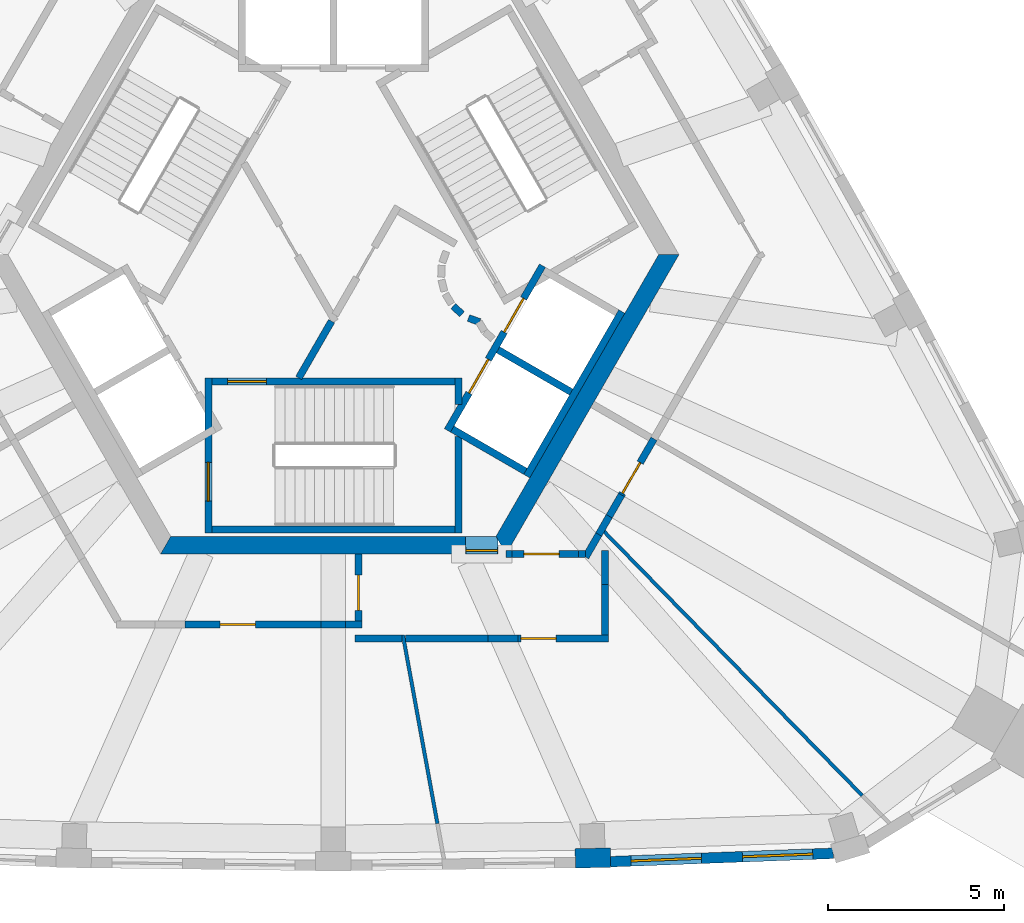
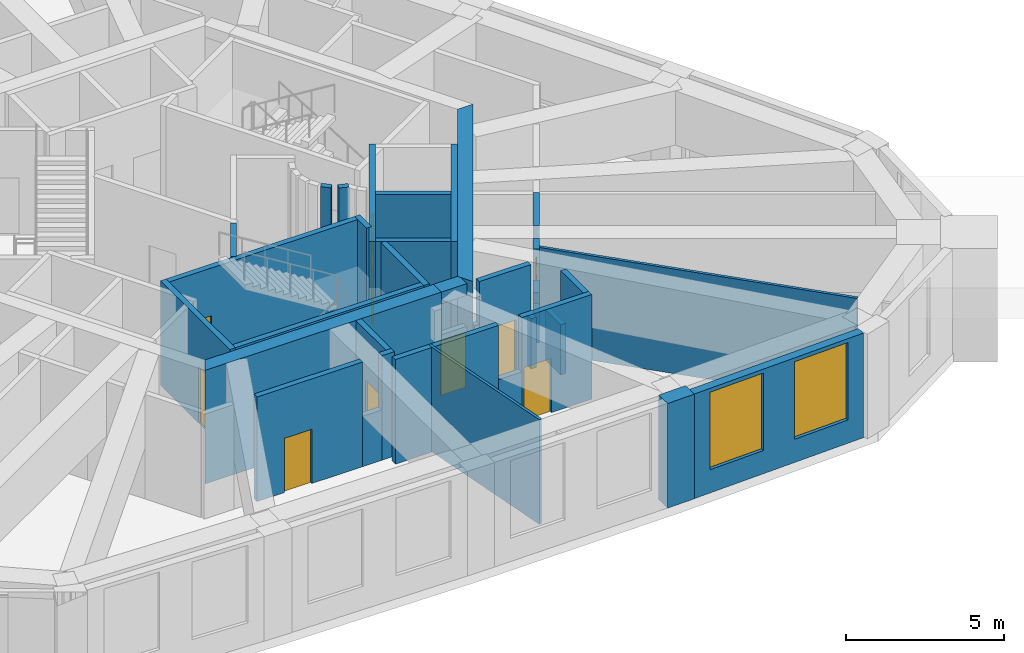
# One storey, part 3 of 8: 37 walls, 10 doors, 2 windows, 12 openings.
"""IFC4 building model written with IfcOpenShell, lengths in metres."""

from ifc_helpers import new_model, si_unit, direction, frame, frame_2d, origin, place, context, subcontext, project, spatial, polyline, rectangle, outline, extrude, material, layer, layer_set, type_object, element, fill, save


model = new_model("IFC4")

# Units and contexts
model_context = context("Model", 3, precision=1e-05, world=origin(), true_north=direction((0.0, 1.0)))
body_context = subcontext(model_context, "Body", "Model", "MODEL_VIEW")
ifc_project = project(units=[si_unit("LENGTHUNIT", "METRE"), si_unit("AREAUNIT", "SQUARE_METRE"), si_unit("VOLUMEUNIT", "CUBIC_METRE"), si_unit("PLANEANGLEUNIT", "RADIAN"), si_unit("MASSUNIT", "GRAM", prefix="KILO")], contexts=[model_context])

# Site, building, storey
site_placement = place(None, origin())
site = spatial("IfcSite", under=ifc_project, at=site_placement, CompositionType="ELEMENT")
building_placement = place(site_placement, origin())
building = spatial("IfcBuilding", under=site, at=building_placement, Name="Entoto Arch Interchange Tower", CompositionType="ELEMENT")
storey_placement = place(building_placement, frame((0.0, 0.0, 344.89990234375)))
storey = spatial("IfcBuildingStorey", under=building, at=storey_placement, Name="L81", CompositionType="ELEMENT", Elevation=344.89990234375)

# Wall, opening, door
ifc_material_1 = material(Name="Reinforced concrete C40/50", Category="concrete")
ifc_layer_1 = layer(ifc_material_1, 0.199951171875)
ifc_layer_set_1 = layer_set([ifc_layer_1], Name="Reinforced concrete C40/50")
wall_type_1 = type_object("IfcWallType", Name="CORE GAP INFILL WALL", PredefinedType="PARTITIONING", material=ifc_layer_set_1)
wall_1_placement = place(storey_placement, frame((3.75, -5.89990234375, 0.0), z_axis=(0.0, 0.0, 1.0), x_axis=(1.0, 0.0, 0.0)))
wall_1 = element("IfcWall", 1, at=wall_1_placement, inside=storey, type_object=wall_type_1, Name="wall:L81:gap1", PredefinedType="PARTITIONING", context=body_context, shape_type="SweptSolid", body=[
    extrude(rectangle(XDim=0.926025390625, YDim=0.199951171875, at=frame_2d((0.462890625, 0.0))), origin(), (0.0, 0.0, 1.0), 2.400146484375),
])
opening_1_placement = place(wall_1_placement, frame((0.01708984375, 0.0, 0.0)))
opening_1 = element("IfcOpeningElement", 2, at=opening_1_placement, cuts=wall_1, Name="Opening L81-D91", PredefinedType="OPENING", context=body_context, shape_type="SweptSolid", body=[
    extrude(rectangle(XDim=0.89990234375, YDim=2.10009765625, at=frame_2d((0.449951171875, 1.050048828125))), frame((0.0, 0.10986328125, 0.0), z_axis=(0.0, -1.0, 0.0), x_axis=(1.0, 0.0, 0.0)), (0.0, 0.0, 1.0), 0.219970703125),
])
ifc_material_2 = material(Name="Fire-rated Steel S235 door and frame", Category="steel")
door_type_1 = type_object("IfcDoorType", Name="DOOR FD-09 900x2100", OperationType="SINGLE_SWING_LEFT", PredefinedType="DOOR", material=ifc_material_2)
door_1_placement = place(opening_1_placement, origin())
door_1 = element("IfcDoor", 3, at=door_1_placement, inside=storey, type_object=door_type_1, Name="door:L81:gap1", OperationType="SINGLE_SWING_LEFT", OverallHeight=2.10009765625, OverallWidth=0.89990234375, PredefinedType="DOOR", context=body_context, shape_type="SweptSolid", body=[
    extrude(rectangle(XDim=0.89990234375, YDim=2.10009765625, at=frame_2d((0.449951171875, 1.050048828125))), frame((0.0, 0.02490234375, 0.0), z_axis=(0.0, -1.0, 0.0), x_axis=(1.0, 0.0, 0.0)), (0.0, 0.0, 1.0), 0.050048828125),
])
fill(opening_1, door_1)

# Walls
ifc_material_3 = material(Name="Concrete C40/50", Category="concrete")
ifc_layer_2 = layer(ifc_material_3, 0.5)
ifc_layer_set_2 = layer_set([ifc_layer_2], Name="Concrete C40/50")
wall_type_2 = type_object("IfcWallType", Name="Core wall 500 C40/50", PredefinedType="SHEAR", material=ifc_layer_set_2)
wall_2_placement = place(storey_placement, frame((0.0, 0.0, -0.349853515625)))
element("IfcWall", 4, at=wall_2_placement, inside=storey, type_object=wall_type_2, Name="Core wall S L81", PredefinedType="SHEAR", context=body_context, shape_type="SweptSolid", body=[
    extrude(outline(polyline([(3.75, -6.0), (3.75, -5.5), (-4.618896484375, -5.5), (-4.906982421875, -6.0), (3.75, -6.0)])), origin(), (0.0, 0.0, 1.0), 4.39990234375),
])
wall_3_placement = place(storey_placement, frame((0.0, 0.0, 3.60009765625)))
element("IfcWall", 5, at=wall_3_placement, inside=storey, type_object=wall_type_2, Name="Core wall lintel S L81", PredefinedType="SHEAR", context=body_context, shape_type="SweptSolid", body=[
    extrude(outline(polyline([(4.676025390625, -6.0), (4.676025390625, -5.60009765625), (4.618896484375, -5.5), (3.75, -5.5), (3.75, -6.0), (4.676025390625, -6.0)])), origin(), (0.0, 0.0, 1.0), 0.449951171875),
])
wall_4_placement = place(storey_placement, frame((0.0, 0.0, -0.349853515625)))
element("IfcWall", 6, at=wall_4_placement, inside=storey, type_object=wall_type_2, Name="Core wall SE L81", PredefinedType="SHEAR", context=body_context, shape_type="SweptSolid", body=[
    extrude(outline(polyline([(4.906982421875, -6.0), (9.81494140625, 2.5), (9.238037109375, 2.5), (4.618896484375, -5.5), (4.906982421875, -6.0)])), origin(), (0.0, 0.0, 1.0), 4.39990234375),
])

# Wall, openings, doors
ifc_layer_3 = layer(ifc_material_3, 0.199951171875)
ifc_layer_set_3 = layer_set([ifc_layer_3], Name="Concrete C40/50")
wall_type_3 = type_object("IfcWallType", Name="LIFT SHAFT WALL 200", PredefinedType="STANDARD", material=ifc_layer_set_3)
wall_5_placement = place(storey_placement, frame((3.239990234375, -2.488037109375, 0.0), z_axis=(0.0, 0.0, 1.0), x_axis=(0.500034260056, 0.866005622828, 0.0)))
wall_5 = element("IfcWall", 7, at=wall_5_placement, inside=storey, type_object=wall_type_3, Name="Shaft wall SE1 front", PredefinedType="STANDARD", context=body_context, shape_type="SweptSolid", body=[
    extrude(rectangle(XDim=5.3994140625, YDim=0.199951171875, at=frame_2d((2.69970703125, 0.0))), origin(), (0.0, 0.0, 1.0), 4.050048828125),
])
opening_2_placement = place(wall_5_placement, frame((3.22509765625, 0.0, 0.0)))
opening_2 = element("IfcOpeningElement", 8, at=opening_2_placement, cuts=wall_5, Name="Opening LD-HR3-L81", PredefinedType="OPENING", context=body_context, shape_type="SweptSolid", body=[
    extrude(rectangle(XDim=1.10009765625, YDim=2.10009765625, at=frame_2d((0.550048828125, 1.050048828125))), frame((0.0, 0.10986328125, 0.0), z_axis=(0.0, -1.0, 0.0), x_axis=(1.0, 0.0, 0.0)), (0.0, 0.0, 1.0), 0.219970703125),
])
opening_3_placement = place(wall_5_placement, frame((1.22509765625, 0.0, 0.0)))
opening_3 = element("IfcOpeningElement", 9, at=opening_3_placement, cuts=wall_5, Name="Opening LD-FF1-L81", PredefinedType="OPENING", context=body_context, shape_type="SweptSolid", body=[
    extrude(rectangle(XDim=1.10009765625, YDim=2.10009765625, at=frame_2d((0.550048828125, 1.050048828125))), frame((0.0, 0.10986328125, 0.0), z_axis=(0.0, -1.0, 0.0), x_axis=(1.0, 0.0, 0.0)), (0.0, 0.0, 1.0), 0.219970703125),
])
ifc_material_4 = material(Name="Stainless steel 1.4301 panels", Category="steel")
door_type_2 = type_object("IfcDoorType", Name="LIFT LANDING DOOR LD1 1100x2100", OperationType="SLIDING_TO_LEFT", PredefinedType="DOOR", material=ifc_material_4)
door_2_placement = place(opening_2_placement, origin())
door_2 = element("IfcDoor", 10, at=door_2_placement, inside=storey, type_object=door_type_2, Name="Lift landing door HR3 L81", OperationType="SLIDING_TO_LEFT", OverallHeight=2.10009765625, OverallWidth=1.10009765625, PredefinedType="DOOR", context=body_context, shape_type="SweptSolid", body=[
    extrude(rectangle(XDim=1.10009765625, YDim=2.10009765625, at=frame_2d((0.550048828125, 1.050048828125))), frame((0.0, 0.02490234375, 0.0), z_axis=(0.0, -1.0, 0.0), x_axis=(1.0, 0.0, 0.0)), (0.0, 0.0, 1.0), 0.050048828125),
])
fill(opening_2, door_2)
door_3_placement = place(opening_3_placement, origin())
door_3 = element("IfcDoor", 11, at=door_3_placement, inside=storey, type_object=door_type_2, Name="Lift landing door FF1 L81", OperationType="SLIDING_TO_LEFT", OverallHeight=2.10009765625, OverallWidth=1.10009765625, PredefinedType="DOOR", context=body_context, shape_type="SweptSolid", body=[
    extrude(rectangle(XDim=1.10009765625, YDim=2.10009765625, at=frame_2d((0.550048828125, 1.050048828125))), frame((0.0, 0.02490234375, 0.0), z_axis=(0.0, -1.0, 0.0), x_axis=(1.0, 0.0, 0.0)), (0.0, 0.0, 1.0), 0.050048828125),
])
fill(opening_3, door_3)

# Walls
wall_6_placement = place(storey_placement, frame((5.491943359375, -3.7880859375, 0.0), z_axis=(0.0, 0.0, 1.0), x_axis=(0.500034260056, 0.866005622828, 0.0)))
element("IfcWall", 12, at=wall_6_placement, inside=storey, type_object=wall_type_3, Name="Shaft wall SE1 back", PredefinedType="STANDARD", context=body_context, shape_type="SweptSolid", body=[
    extrude(rectangle(XDim=5.3994140625, YDim=0.199951171875, at=frame_2d((2.69970703125, 0.0))), origin(), (0.0, 0.0, 1.0), 4.050048828125),
])
wall_7_placement = place(storey_placement, frame((3.376953125, -2.451904296875, 0.0), z_axis=(0.0, 0.0, 1.0), x_axis=(0.865955154139, -0.50012165622, 0.0)))
element("IfcWall", 13, at=wall_7_placement, inside=storey, type_object=wall_type_3, Name="Shaft wall SE1 cross 1", PredefinedType="STANDARD", context=body_context, shape_type="SweptSolid", body=[
    extrude(rectangle(XDim=2.39990234375, YDim=0.199951171875, at=frame_2d((1.199951171875, 0.0))), origin(), (0.0, 0.0, 1.0), 4.050048828125),
])
wall_8_placement = place(storey_placement, frame((4.677001953125, -0.199951171875, 0.0), z_axis=(0.0, 0.0, 1.0), x_axis=(0.865973769406, -0.500089422704, 0.0)))
element("IfcWall", 14, at=wall_8_placement, inside=storey, type_object=wall_type_3, Name="Shaft wall SE1 cross 2", PredefinedType="STANDARD", context=body_context, shape_type="SweptSolid", body=[
    extrude(rectangle(XDim=2.3994140625, YDim=0.199951171875, at=frame_2d((1.19970703125, 0.0))), origin(), (0.0, 0.0, 1.0), 4.050048828125),
])
ifc_material_5 = material(Name="Gypsum board partition on steel studs", Category="steel")
ifc_layer_4 = layer(ifc_material_5, 0.10009765625)
ifc_layer_set_4 = layer_set([ifc_layer_4], Name="Gypsum board partition on steel studs")
wall_type_4 = type_object("IfcWallType", Name="PARTITION 100", PredefinedType="PARTITIONING", material=ifc_layer_set_4)
wall_9_placement = place(storey_placement, frame((7.6240234375, -5.294921875, 0.0), z_axis=(0.0, 0.0, 1.0), x_axis=(0.699214658751, -0.714911785458, 0.0)))
element("IfcWall", 15, at=wall_9_placement, inside=storey, type_object=wall_type_4, Name="wall:L81:p024", PredefinedType="PARTITIONING", context=body_context, shape_type="SweptSolid", body=[
    extrude(rectangle(XDim=10.576171875, YDim=0.10009765625, at=frame_2d((5.2880859375, 0.0))), origin(), (0.0, 0.0, 1.0), 4.050048828125),
])
wall_10_placement = place(storey_placement, frame((2.955078125, -13.655029296875, 0.0), z_axis=(0.0, 0.0, 1.0), x_axis=(-0.179903930573, 0.983684184972, 0.0)))
element("IfcWall", 16, at=wall_10_placement, inside=storey, type_object=wall_type_4, Name="wall:L81:p023", PredefinedType="PARTITIONING", context=body_context, shape_type="SweptSolid", body=[
    extrude(rectangle(XDim=5.44189453125, YDim=0.10009765625, at=frame_2d((2.720947265625, 0.0))), origin(), (0.0, 0.0, 1.0), 4.050048828125),
])
ifc_layer_5 = layer(ifc_material_5, 0.199951171875)
ifc_layer_set_5 = layer_set([ifc_layer_5], Name="Gypsum board partition on steel studs")
wall_type_5 = type_object("IfcWallType", Name="PARTITION 200", PredefinedType="PARTITIONING", material=ifc_layer_set_5)
wall_11_placement = place(storey_placement, frame((-0.98193359375, -1.0, 0.0), z_axis=(0.0, 0.0, 1.0), x_axis=(0.50024047865, 0.865886518847, 0.0)))
element("IfcWall", 17, at=wall_11_placement, inside=storey, type_object=wall_type_5, Name="wall:L81:p001", PredefinedType="PARTITIONING", context=body_context, shape_type="SweptSolid", body=[
    extrude(rectangle(XDim=1.86279296875, YDim=0.199951171875, at=frame_2d((0.931396484375, 0.0))), origin(), (0.0, 0.0, 1.0), 4.050048828125),
])
wall_12_placement = place(storey_placement, frame((3.404052734375, 1.0390625, 0.0), z_axis=(0.0, 0.0, 1.0), x_axis=(0.740267097712, -0.672312891476, 0.0)))
element("IfcWall", 18, at=wall_12_placement, inside=storey, type_object=wall_type_5, Name="wall:L81:p007", PredefinedType="PARTITIONING", context=body_context, shape_type="SweptSolid", body=[
    extrude(rectangle(XDim=0.337646484375, YDim=0.199951171875, at=frame_2d((0.1689453125, 0.0))), origin(), (0.0, 0.0, 1.0), 4.050048828125),
])
wall_13_placement = place(storey_placement, frame((3.837890625, 0.701904296875, 0.0), z_axis=(0.0, 0.0, 1.0), x_axis=(0.941035081519, -0.338308993895, 0.0)))
element("IfcWall", 19, at=wall_13_placement, inside=storey, type_object=wall_type_5, Name="wall:L81:p008", PredefinedType="PARTITIONING", context=body_context, shape_type="SweptSolid", body=[
    extrude(rectangle(XDim=0.3369140625, YDim=0.199951171875, at=frame_2d((0.16845703125, 0.0))), origin(), (0.0, 0.0, 1.0), 4.050048828125),
])

# Wall, opening, door
wall_14_placement = place(storey_placement, frame((0.712890625, -7.89990234375, 0.0), z_axis=(0.0, 0.0, 1.0), x_axis=(0.0, 1.0, 0.0)))
wall_14 = element("IfcWall", 20, at=wall_14_placement, inside=storey, type_object=wall_type_5, Name="wall:L81:p013", PredefinedType="PARTITIONING", context=body_context, shape_type="SweptSolid", body=[
    extrude(rectangle(XDim=1.89990234375, YDim=0.199951171875, at=frame_2d((0.949951171875, 0.0))), origin(), (0.0, 0.0, 1.0), 4.050048828125),
])
opening_4_placement = place(wall_14_placement, frame((0.300048828125, 0.0, 0.0)))
opening_4 = element("IfcOpeningElement", 21, at=opening_4_placement, cuts=wall_14, Name="Opening L81-D01", PredefinedType="OPENING", context=body_context, shape_type="SweptSolid", body=[
    extrude(rectangle(XDim=1.0, YDim=2.10009765625, at=frame_2d((0.5, 1.050048828125))), frame((0.0, 0.10986328125, 0.0), z_axis=(0.0, -1.0, 0.0), x_axis=(1.0, 0.0, 0.0)), (0.0, 0.0, 1.0), 0.219970703125),
])
door_type_3 = type_object("IfcDoorType", Name="DOOR FD-10 1000x2100", OperationType="SINGLE_SWING_LEFT", PredefinedType="DOOR", material=ifc_material_2)
door_4_placement = place(opening_4_placement, origin())
door_4 = element("IfcDoor", 22, at=door_4_placement, inside=storey, type_object=door_type_3, Name="door:L81:01", OperationType="SINGLE_SWING_LEFT", OverallHeight=2.10009765625, OverallWidth=1.0, PredefinedType="DOOR", context=body_context, shape_type="SweptSolid", body=[
    extrude(rectangle(XDim=1.0, YDim=2.10009765625, at=frame_2d((0.5, 1.050048828125))), frame((0.0, 0.02490234375, 0.0), z_axis=(0.0, -1.0, 0.0), x_axis=(1.0, 0.0, 0.0)), (0.0, 0.0, 1.0), 0.050048828125),
])
fill(opening_4, door_4)

# Wall
wall_15_placement = place(storey_placement, frame((4.906982421875, -6.0, 0.0), z_axis=(0.0, 0.0, 1.0), x_axis=(1.0, 0.0, 0.0)))
element("IfcWall", 23, at=wall_15_placement, inside=storey, type_object=wall_type_5, Name="wall:L81:p014", PredefinedType="PARTITIONING", context=body_context, shape_type="SweptSolid", body=[
    extrude(rectangle(XDim=0.1689453125, YDim=0.199951171875, at=frame_2d((0.08447265625, 0.0))), origin(), (0.0, 0.0, 1.0), 2.400146484375),
])

# Wall, opening, door
wall_16_placement = place(storey_placement, frame((7.81298828125, -8.39990234375, 0.0), z_axis=(0.0, 0.0, 1.0), x_axis=(-1.0, 0.0, 0.0)))
wall_16 = element("IfcWall", 24, at=wall_16_placement, inside=storey, type_object=wall_type_5, Name="wall:L81:p015", PredefinedType="PARTITIONING", context=body_context, shape_type="SweptSolid", body=[
    extrude(rectangle(XDim=2.56689453125, YDim=0.199951171875, at=frame_2d((1.283447265625, 0.0))), origin(), (0.0, 0.0, 1.0), 4.050048828125),
])
opening_5_placement = place(wall_16_placement, frame((1.489013671875, 0.0, 0.0)))
opening_5 = element("IfcOpeningElement", 25, at=opening_5_placement, cuts=wall_16, Name="Opening L81-D03", PredefinedType="OPENING", context=body_context, shape_type="SweptSolid", body=[
    extrude(rectangle(XDim=1.0, YDim=2.10009765625, at=frame_2d((0.5, 1.050048828125))), frame((0.0, 0.10986328125, 0.0), z_axis=(0.0, -1.0, 0.0), x_axis=(1.0, 0.0, 0.0)), (0.0, 0.0, 1.0), 0.219970703125),
])
door_5_placement = place(opening_5_placement, origin())
door_5 = element("IfcDoor", 26, at=door_5_placement, inside=storey, type_object=door_type_3, Name="door:L81:03", OperationType="SINGLE_SWING_LEFT", OverallHeight=2.10009765625, OverallWidth=1.0, PredefinedType="DOOR", context=body_context, shape_type="SweptSolid", body=[
    extrude(rectangle(XDim=1.0, YDim=2.10009765625, at=frame_2d((0.5, 1.050048828125))), frame((0.0, 0.02490234375, 0.0), z_axis=(0.0, -1.0, 0.0), x_axis=(1.0, 0.0, 0.0)), (0.0, 0.0, 1.0), 0.050048828125),
])
fill(opening_5, door_5)

# Walls
wall_17_placement = place(storey_placement, frame((7.712890625, -5.89990234375, 0.0), z_axis=(0.0, 0.0, 1.0), x_axis=(0.0, -1.0, 0.0)))
element("IfcWall", 27, at=wall_17_placement, inside=storey, type_object=wall_type_5, Name="wall:L81:p016", PredefinedType="PARTITIONING", context=body_context, shape_type="SweptSolid", body=[
    extrude(rectangle(XDim=0.962158203125, YDim=0.199951171875, at=frame_2d((0.48095703125, 0.0))), origin(), (0.0, 0.0, 1.0), 1.9501953125),
])
wall_18_placement = place(storey_placement, frame((1.944091796875, -8.39990234375, 0.0), z_axis=(0.0, 0.0, 1.0), x_axis=(-1.0, 0.0, 0.0)))
element("IfcWall", 28, at=wall_18_placement, inside=storey, type_object=wall_type_5, Name="wall:L81:p017", PredefinedType="PARTITIONING", context=body_context, shape_type="SweptSolid", body=[
    extrude(rectangle(XDim=1.3310546875, YDim=0.199951171875, at=frame_2d((0.66552734375, 0.0))), origin(), (0.0, 0.0, 1.0), 4.050048828125),
])
wall_19_placement = place(storey_placement, frame((0.81298828125, -8.0, 0.0), z_axis=(0.0, 0.0, 1.0), x_axis=(-1.0, 0.0, 0.0)))
element("IfcWall", 29, at=wall_19_placement, inside=storey, type_object=wall_type_5, Name="wall:L81:p018", PredefinedType="PARTITIONING", context=body_context, shape_type="SweptSolid", body=[
    extrude(rectangle(XDim=0.462890625, YDim=0.199951171875, at=frame_2d((0.2314453125, 0.0))), origin(), (0.0, 0.0, 1.0), 4.050048828125),
])

# Wall, opening, door
wall_20_placement = place(storey_placement, frame((9.10595703125, -2.72802734375, 0.0), z_axis=(0.0, 0.0, 1.0), x_axis=(-0.500246664097, -0.865882945357, 0.0)))
wall_20 = element("IfcWall", 30, at=wall_20_placement, inside=storey, type_object=wall_type_5, Name="wall:L81:p021", PredefinedType="PARTITIONING", context=body_context, shape_type="SweptSolid", body=[
    extrude(rectangle(XDim=1.8408203125, YDim=0.199951171875, at=frame_2d((0.92041015625, 0.0))), origin(), (0.0, 0.0, 1.0), 4.050048828125),
])
opening_6_placement = place(wall_20_placement, frame((0.783935546875, 0.0, 0.0)))
opening_6 = element("IfcOpeningElement", 31, at=opening_6_placement, cuts=wall_20, Name="Opening L81-D05", PredefinedType="OPENING", context=body_context, shape_type="SweptSolid", body=[
    extrude(rectangle(XDim=1.0, YDim=2.10009765625, at=frame_2d((0.5, 1.050048828125))), frame((0.0, 0.10986328125, 0.0), z_axis=(0.0, -1.0, 0.0), x_axis=(1.0, 0.0, 0.0)), (0.0, 0.0, 1.0), 0.219970703125),
])
ifc_material_6 = material(Name="Timber door leaf in Steel S235 frame", Category="steel")
door_type_4 = type_object("IfcDoorType", Name="DOOR DS-10 1000x2100", OperationType="SINGLE_SWING_LEFT", PredefinedType="DOOR", material=ifc_material_6)
door_6_placement = place(opening_6_placement, origin())
door_6 = element("IfcDoor", 32, at=door_6_placement, inside=storey, type_object=door_type_4, Name="door:L81:05", OperationType="SINGLE_SWING_LEFT", OverallHeight=2.10009765625, OverallWidth=1.0, PredefinedType="DOOR", context=body_context, shape_type="SweptSolid", body=[
    extrude(rectangle(XDim=1.0, YDim=2.10009765625, at=frame_2d((0.5, 1.050048828125))), frame((0.0, 0.02490234375, 0.0), z_axis=(0.0, -1.0, 0.0), x_axis=(1.0, 0.0, 0.0)), (0.0, 0.0, 1.0), 0.050048828125),
])
fill(opening_6, door_6)

wall_21_placement = place(storey_placement, frame((5.075927734375, -6.0, 0.0), z_axis=(0.0, 0.0, 1.0), x_axis=(1.0, 0.0, 0.0)))
wall_21 = element("IfcWall", 33, at=wall_21_placement, inside=storey, type_object=wall_type_5, Name="wall:L81:p014", PredefinedType="PARTITIONING", context=body_context, shape_type="SweptSolid", body=[
    extrude(rectangle(XDim=1.886962890625, YDim=0.199951171875, at=frame_2d((0.943359375, 0.0))), origin(), (0.0, 0.0, 1.0), 4.050048828125),
])
opening_7_placement = place(wall_21_placement, frame((0.3359375, 0.0, 0.0)))
opening_7 = element("IfcOpeningElement", 34, at=opening_7_placement, cuts=wall_21, Name="Opening L81-D02", PredefinedType="OPENING", context=body_context, shape_type="SweptSolid", body=[
    extrude(rectangle(XDim=1.0, YDim=2.10009765625, at=frame_2d((0.5, 1.050048828125))), frame((0.0, 0.10986328125, 0.0), z_axis=(0.0, -1.0, 0.0), x_axis=(1.0, 0.0, 0.0)), (0.0, 0.0, 1.0), 0.219970703125),
])
door_7_placement = place(opening_7_placement, origin())
door_7 = element("IfcDoor", 35, at=door_7_placement, inside=storey, type_object=door_type_3, Name="door:L81:02", OperationType="SINGLE_SWING_RIGHT", OverallHeight=2.10009765625, OverallWidth=1.0, PredefinedType="DOOR", context=body_context, shape_type="SweptSolid", body=[
    extrude(rectangle(XDim=1.0, YDim=2.10009765625, at=frame_2d((0.5, 1.050048828125))), frame((0.0, 0.02490234375, 0.0), z_axis=(0.0, -1.0, 0.0), x_axis=(1.0, 0.0, 0.0)), (0.0, 0.0, 1.0), 0.050048828125),
])
fill(opening_7, door_7)

# Walls
wall_22_placement = place(storey_placement, frame((6.962890625, -6.0, 0.0), z_axis=(0.0, 0.0, 1.0), x_axis=(1.0, 0.0, 0.0)))
element("IfcWall", 36, at=wall_22_placement, inside=storey, type_object=wall_type_5, Name="wall:L81:p014", PredefinedType="PARTITIONING", context=body_context, shape_type="SweptSolid", body=[
    extrude(rectangle(XDim=0.197998046875, YDim=0.199951171875, at=frame_2d((0.09912109375, 0.0))), origin(), (0.0, 0.0, 1.0), 1.9501953125),
])
wall_23_placement = place(storey_placement, frame((5.24609375, -8.39990234375, 0.0), z_axis=(0.0, 0.0, 1.0), x_axis=(-1.0, 0.0, 0.0)))
element("IfcWall", 37, at=wall_23_placement, inside=storey, type_object=wall_type_5, Name="wall:L81:p015", PredefinedType="PARTITIONING", context=body_context, shape_type="SweptSolid", body=[
    extrude(rectangle(XDim=0.85400390625, YDim=0.199951171875, at=frame_2d((0.427001953125, 0.0))), origin(), (0.0, 0.0, 1.0), 1.9501953125),
])
wall_24_placement = place(storey_placement, frame((4.39208984375, -8.39990234375, 0.0), z_axis=(0.0, 0.0, 1.0), x_axis=(-1.0, 0.0, 0.0)))
element("IfcWall", 38, at=wall_24_placement, inside=storey, type_object=wall_type_5, Name="wall:L81:p015", PredefinedType="PARTITIONING", context=body_context, shape_type="SweptSolid", body=[
    extrude(rectangle(XDim=2.34814453125, YDim=0.199951171875, at=frame_2d((1.174072265625, 0.0))), origin(), (0.0, 0.0, 1.0), 4.050048828125),
])
wall_25_placement = place(storey_placement, frame((7.712890625, -6.862060546875, 0.0), z_axis=(0.0, 0.0, 1.0), x_axis=(0.0, -1.0, 0.0)))
element("IfcWall", 39, at=wall_25_placement, inside=storey, type_object=wall_type_5, Name="wall:L81:p016", PredefinedType="PARTITIONING", context=body_context, shape_type="SweptSolid", body=[
    extrude(rectangle(XDim=1.43798828125, YDim=0.199951171875, at=frame_2d((0.718994140625, 0.0))), origin(), (0.0, 0.0, 1.0), 4.050048828125),
])
wall_26_placement = place(storey_placement, frame((0.35009765625, -8.0, 0.0), z_axis=(0.0, 0.0, 1.0), x_axis=(-1.0, 0.0, 0.0)))
element("IfcWall", 40, at=wall_26_placement, inside=storey, type_object=wall_type_5, Name="wall:L81:p018", PredefinedType="PARTITIONING", context=body_context, shape_type="SweptSolid", body=[
    extrude(rectangle(XDim=0.7001953125, YDim=0.199951171875, at=frame_2d((0.35009765625, 0.0))), origin(), (0.0, 0.0, 1.0), 1.9501953125),
])

# Wall, opening, door
wall_27_placement = place(storey_placement, frame((-0.35009765625, -8.0, 0.0), z_axis=(0.0, 0.0, 1.0), x_axis=(-1.0, 0.0, 0.0)))
wall_27 = element("IfcWall", 41, at=wall_27_placement, inside=storey, type_object=wall_type_5, Name="wall:L81:p018", PredefinedType="PARTITIONING", context=body_context, shape_type="SweptSolid", body=[
    extrude(rectangle(XDim=3.864990234375, YDim=0.199951171875, at=frame_2d((1.9326171875, 0.0))), origin(), (0.0, 0.0, 1.0), 4.050048828125),
])
opening_8_placement = place(wall_27_placement, frame((1.862060546875, 0.0, 0.0)))
opening_8 = element("IfcOpeningElement", 42, at=opening_8_placement, cuts=wall_27, Name="Opening L81-D04", PredefinedType="OPENING", context=body_context, shape_type="SweptSolid", body=[
    extrude(rectangle(XDim=1.0, YDim=2.10009765625, at=frame_2d((0.5, 1.050048828125))), frame((0.0, 0.10986328125, 0.0), z_axis=(0.0, -1.0, 0.0), x_axis=(1.0, 0.0, 0.0)), (0.0, 0.0, 1.0), 0.219970703125),
])
door_8_placement = place(opening_8_placement, origin())
door_8 = element("IfcDoor", 43, at=door_8_placement, inside=storey, type_object=door_type_4, Name="door:L81:04", OperationType="SINGLE_SWING_RIGHT", OverallHeight=2.10009765625, OverallWidth=1.0, PredefinedType="DOOR", context=body_context, shape_type="SweptSolid", body=[
    extrude(rectangle(XDim=1.0, YDim=2.10009765625, at=frame_2d((0.5, 1.050048828125))), frame((0.0, 0.02490234375, 0.0), z_axis=(0.0, -1.0, 0.0), x_axis=(1.0, 0.0, 0.0)), (0.0, 0.0, 1.0), 0.050048828125),
])
fill(opening_8, door_8)

# Walls
wall_28_placement = place(storey_placement, frame((8.18505859375, -4.322021484375, 0.0), z_axis=(0.0, 0.0, 1.0), x_axis=(-0.500265973451, -0.865871789474, 0.0)))
element("IfcWall", 44, at=wall_28_placement, inside=storey, type_object=wall_type_5, Name="wall:L81:p021", PredefinedType="PARTITIONING", context=body_context, shape_type="SweptSolid", body=[
    extrude(rectangle(XDim=0.69970703125, YDim=0.199951171875, at=frame_2d((0.349853515625, 0.0))), origin(), (0.0, 0.0, 1.0), 1.9501953125),
])
wall_29_placement = place(storey_placement, frame((7.8349609375, -4.927978515625, 0.0), z_axis=(0.0, 0.0, 1.0), x_axis=(-0.499132035552, -0.866525943689, 0.0)))
element("IfcWall", 45, at=wall_29_placement, inside=storey, type_object=wall_type_5, Name="wall:L81:p021", PredefinedType="PARTITIONING", context=body_context, shape_type="SweptSolid", body=[
    extrude(rectangle(XDim=0.5966796875, YDim=0.199951171875, at=frame_2d((0.29833984375, 0.0))), origin(), (0.0, 0.0, 1.0), 4.050048828125),
])
wall_30_placement = place(storey_placement, frame((7.537109375, -5.445068359375, 0.0), z_axis=(0.0, 0.0, 1.0), x_axis=(-0.500529943435, -0.865719224533, 0.0)))
element("IfcWall", 46, at=wall_30_placement, inside=storey, type_object=wall_type_5, Name="wall:L81:p021", PredefinedType="PARTITIONING", context=body_context, shape_type="SweptSolid", body=[
    extrude(rectangle(XDim=0.741455078125, YDim=0.199951171875, at=frame_2d((0.37060546875, 0.0))), origin(), (0.0, 0.0, 1.0), 1.9501953125),
])

# Wall, opening, door
ifc_layer_6 = layer(ifc_material_3, 0.199951171875)
ifc_layer_set_6 = layer_set([ifc_layer_6], Name="Concrete C40/50")
wall_type_6 = type_object("IfcWallType", Name="STAIR ENCLOSURE WALL 200", PredefinedType="STANDARD", material=ifc_layer_set_6)
wall_31_placement = place(storey_placement, frame((-3.550048828125, -1.0, 0.0), z_axis=(0.0, 0.0, 1.0), x_axis=(0.0, -1.0, 0.0)))
wall_31 = element("IfcWall", 47, at=wall_31_placement, inside=storey, type_object=wall_type_6, Name="Stair wall ST-S near", PredefinedType="STANDARD", context=body_context, shape_type="SweptSolid", body=[
    extrude(rectangle(XDim=4.39990234375, YDim=0.199951171875, at=frame_2d((2.199951171875, 0.0))), origin(), (0.0, 0.0, 1.0), 4.050048828125),
])
opening_9_placement = place(wall_31_placement, frame((2.39990234375, 0.0, 0.0)))
opening_9 = element("IfcOpeningElement", 48, at=opening_9_placement, cuts=wall_31, Name="Opening SD-ST-S-L81-E", PredefinedType="OPENING", context=body_context, shape_type="SweptSolid", body=[
    extrude(rectangle(XDim=1.10009765625, YDim=2.199951171875, at=frame_2d((0.550048828125, 1.10009765625))), frame((0.0, 0.10986328125, 0.0), z_axis=(0.0, -1.0, 0.0), x_axis=(1.0, 0.0, 0.0)), (0.0, 0.0, 1.0), 0.219970703125),
])
ifc_material_7 = material(Name="Steel S235", Category="steel")
door_type_5 = type_object("IfcDoorType", Name="STAIR DOOR SD1 1100x2200", OperationType="SINGLE_SWING_LEFT", PredefinedType="DOOR", material=ifc_material_7)
door_9_placement = place(opening_9_placement, origin())
door_9 = element("IfcDoor", 49, at=door_9_placement, inside=storey, type_object=door_type_5, Name="Stair door ST-S L81 end", OperationType="SINGLE_SWING_LEFT", OverallHeight=2.199951171875, OverallWidth=1.10009765625, PredefinedType="DOOR", context=body_context, shape_type="SweptSolid", body=[
    extrude(rectangle(XDim=1.10009765625, YDim=2.199951171875, at=frame_2d((0.550048828125, 1.10009765625))), frame((0.0, 0.02490234375, 0.0), z_axis=(0.0, -1.0, 0.0), x_axis=(1.0, 0.0, 0.0)), (0.0, 0.0, 1.0), 0.050048828125),
])
fill(opening_9, door_9)

# Walls
wall_32_placement = place(storey_placement, frame((3.550048828125, -2.6669921875, 0.0), z_axis=(0.0, 0.0, 1.0), x_axis=(0.0, -1.0, 0.0)))
element("IfcWall", 50, at=wall_32_placement, inside=storey, type_object=wall_type_6, Name="Stair wall ST-S far", PredefinedType="STANDARD", context=body_context, shape_type="SweptSolid", body=[
    extrude(rectangle(XDim=2.73291015625, YDim=0.199951171875, at=frame_2d((1.366455078125, 0.0))), origin(), (0.0, 0.0, 1.0), 4.050048828125),
])
wall_33_placement = place(storey_placement, frame((3.550048828125, -1.0, 0.0), z_axis=(0.0, 0.0, 1.0), x_axis=(0.0, -1.0, 0.0)))
element("IfcWall", 51, at=wall_33_placement, inside=storey, type_object=wall_type_6, Name="Stair wall ST-S far return", PredefinedType="STANDARD", context=body_context, shape_type="SweptSolid", body=[
    extrude(rectangle(XDim=0.7509765625, YDim=0.199951171875, at=frame_2d((0.37548828125, 0.0))), origin(), (0.0, 0.0, 1.0), 4.050048828125),
])

# Wall, opening, door
wall_34_placement = place(storey_placement, frame((-3.449951171875, -1.10009765625, 0.0), z_axis=(0.0, 0.0, 1.0), x_axis=(1.0, 0.0, 0.0)))
wall_34 = element("IfcWall", 52, at=wall_34_placement, inside=storey, type_object=wall_type_6, Name="Stair wall ST-S hall", PredefinedType="STANDARD", context=body_context, shape_type="SweptSolid", body=[
    extrude(rectangle(XDim=6.89990234375, YDim=0.199951171875, at=frame_2d((3.449951171875, 0.0))), origin(), (0.0, 0.0, 1.0), 4.050048828125),
])
opening_10_placement = place(wall_34_placement, frame((0.449951171875, 0.0, 0.0)))
opening_10 = element("IfcOpeningElement", 53, at=opening_10_placement, cuts=wall_34, Name="Opening SD-ST-S-L81", PredefinedType="OPENING", context=body_context, shape_type="SweptSolid", body=[
    extrude(rectangle(XDim=1.10009765625, YDim=2.199951171875, at=frame_2d((0.550048828125, 1.10009765625))), frame((0.0, 0.10986328125, 0.0), z_axis=(0.0, -1.0, 0.0), x_axis=(1.0, 0.0, 0.0)), (0.0, 0.0, 1.0), 0.219970703125),
])
door_10_placement = place(opening_10_placement, origin())
door_10 = element("IfcDoor", 54, at=door_10_placement, inside=storey, type_object=door_type_5, Name="Stair door ST-S L81", OperationType="SINGLE_SWING_LEFT", OverallHeight=2.199951171875, OverallWidth=1.10009765625, PredefinedType="DOOR", context=body_context, shape_type="SweptSolid", body=[
    extrude(rectangle(XDim=1.10009765625, YDim=2.199951171875, at=frame_2d((0.550048828125, 1.10009765625))), frame((0.0, 0.02490234375, 0.0), z_axis=(0.0, -1.0, 0.0), x_axis=(1.0, 0.0, 0.0)), (0.0, 0.0, 1.0), 0.050048828125),
])
fill(opening_10, door_10)

# Wall
wall_35_placement = place(storey_placement, frame((-3.449951171875, -5.300048828125, 0.0), z_axis=(0.0, 0.0, 1.0), x_axis=(1.0, 0.0, 0.0)))
element("IfcWall", 55, at=wall_35_placement, inside=storey, type_object=wall_type_6, Name="Stair wall ST-S back", PredefinedType="STANDARD", context=body_context, shape_type="SweptSolid", body=[
    extrude(rectangle(XDim=6.89990234375, YDim=0.199951171875, at=frame_2d((3.449951171875, 0.0))), origin(), (0.0, 0.0, 1.0), 4.050048828125),
])

# Wall, openings, windows
ifc_material_8 = material(Name="Welded tuff (ignimbrite) cladding, warm buff", Category="masonry")
ifc_layer_7 = layer(ifc_material_8, 0.300048828125)
ifc_layer_set_7 = layer_set([ifc_layer_7], Name="Welded tuff (ignimbrite) cladding, warm buff")
wall_type_7 = type_object("IfcWallType", Name="STONE INFILL WALL 300", PredefinedType="STANDARD", material=ifc_layer_set_7)
wall_36_placement = place(storey_placement, frame((7.8740234375, -14.739013671875, 0.0), z_axis=(0.0, 0.0, 1.0), x_axis=(0.999292132587, 0.03761959262, 0.0)))
wall_36 = element("IfcWall", 56, at=wall_36_placement, inside=storey, type_object=wall_type_7, Name="Facade wall S-04 L81", PredefinedType="STANDARD", context=body_context, shape_type="SweptSolid", body=[
    extrude(rectangle(XDim=6.327392578125, YDim=0.300048828125, at=frame_2d((3.16357421875, 0.0))), origin(), (0.0, 0.0, 1.0), 4.050048828125),
])
opening_11_placement = place(wall_36_placement, frame((0.58203125, 0.0, 0.89990234375)))
opening_11 = element("IfcOpeningElement", 57, at=opening_11_placement, cuts=wall_36, Name="Opening WK-C", PredefinedType="OPENING", context=body_context, shape_type="SweptSolid", body=[
    extrude(rectangle(XDim=2.0, YDim=3.0, at=frame_2d((1.0, 1.5))), frame((0.0, 0.16015625, 0.0), z_axis=(0.0, -1.0, 0.0), x_axis=(1.0, 0.0, 0.0)), (0.0, 0.0, 1.0), 0.320068359375),
])
opening_12_placement = place(wall_36_placement, frame((3.74609375, 0.0, 0.89990234375)))
opening_12 = element("IfcOpeningElement", 58, at=opening_12_placement, cuts=wall_36, Name="Opening WK-C", PredefinedType="OPENING", context=body_context, shape_type="SweptSolid", body=[
    extrude(rectangle(XDim=2.0, YDim=3.0, at=frame_2d((1.0, 1.5))), frame((0.0, 0.16015625, 0.0), z_axis=(0.0, -1.0, 0.0), x_axis=(1.0, 0.0, 0.0)), (0.0, 0.0, 1.0), 0.320068359375),
])
ifc_material_9 = material(Name="Clear glass, low-e double glazed", Category="glass")
window_type = type_object("IfcWindowType", Name="WINDOW WK-C 2000x3000", PartitioningType="DOUBLE_PANEL_VERTICAL", PredefinedType="WINDOW", material=ifc_material_9)
window_1_placement = place(opening_11_placement, origin())
window_1 = element("IfcWindow", 59, at=window_1_placement, inside=storey, type_object=window_type, Name="Window WK-C S-04 L81", OverallHeight=3.0, OverallWidth=2.0, PartitioningType="SINGLE_PANEL", PredefinedType="WINDOW", context=body_context, shape_type="SweptSolid", body=[
    extrude(rectangle(XDim=2.0, YDim=3.0, at=frame_2d((1.0, 1.5))), frame((0.0, 0.030029296875, 0.0), z_axis=(0.0, -1.0, 0.0), x_axis=(1.0, 0.0, 0.0)), (0.0, 0.0, 1.0), 0.06005859375),
])
fill(opening_11, window_1)
window_2_placement = place(opening_12_placement, origin())
window_2 = element("IfcWindow", 60, at=window_2_placement, inside=storey, type_object=window_type, Name="Window WK-C S-04 L81", OverallHeight=3.0, OverallWidth=2.0, PartitioningType="SINGLE_PANEL", PredefinedType="WINDOW", context=body_context, shape_type="SweptSolid", body=[
    extrude(rectangle(XDim=2.0, YDim=3.0, at=frame_2d((1.0, 1.5))), frame((0.0, 0.030029296875, 0.0), z_axis=(0.0, -1.0, 0.0), x_axis=(1.0, 0.0, 0.0)), (0.0, 0.0, 1.0), 0.06005859375),
])
fill(opening_12, window_2)

# Wall
ifc_layer_8 = layer(ifc_material_8, 0.550048828125)
ifc_layer_set_8 = layer_set([ifc_layer_8], Name="Welded tuff (ignimbrite) cladding, warm buff")
wall_type_8 = type_object("IfcWallType", Name="STONE PIER CLADDING 550", PredefinedType="STANDARD", material=ifc_layer_set_8)
wall_37_placement = place(storey_placement, frame((6.8720703125, -14.64599609375, 0.0), z_axis=(0.0, 0.0, 1.0), x_axis=(0.999690080772, 0.024894626035, 0.0)))
element("IfcWall", 61, at=wall_37_placement, inside=storey, type_object=wall_type_8, Name="Stone pier S04 L81", PredefinedType="STANDARD", context=body_context, shape_type="SweptSolid", body=[
    extrude(rectangle(XDim=1.000244140625, YDim=0.550048828125, at=frame_2d((0.5, 0.0))), origin(), (0.0, 0.0, 1.0), 4.050048828125),
])

save(model, "model.ifc")
